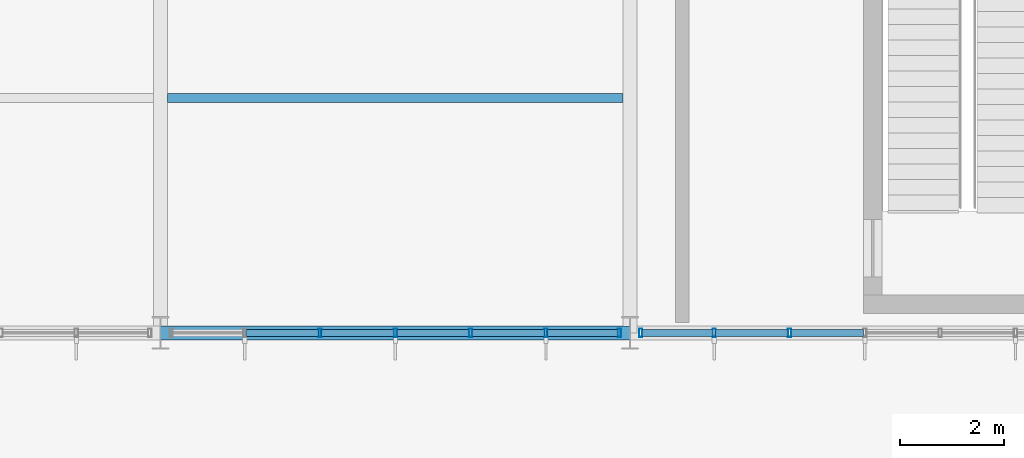
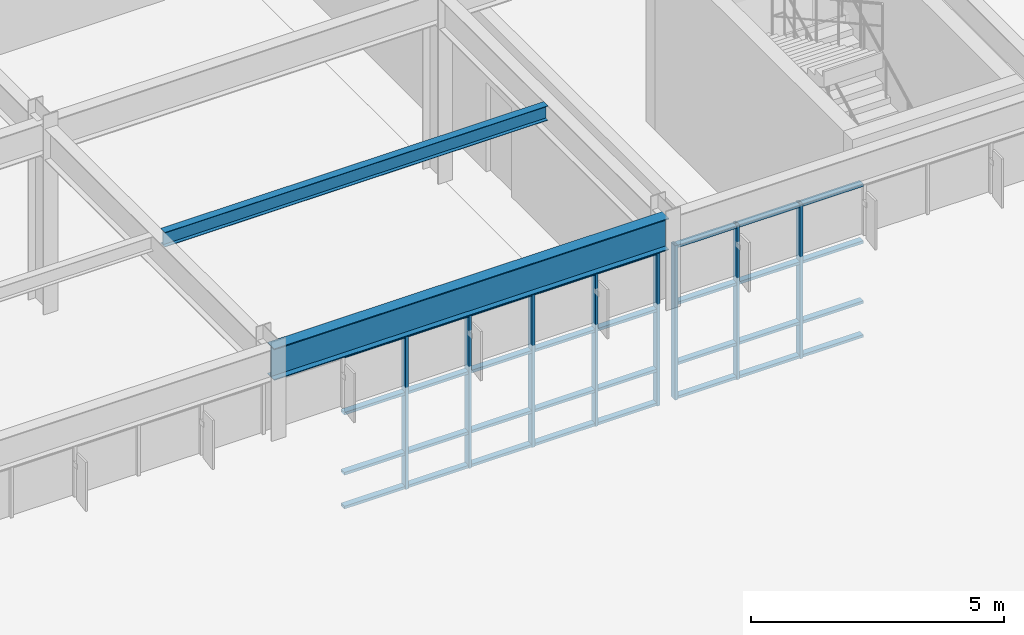
# One storey, part 63 of 104: 40 members, 2 beams, 2 elements without a shape of their own.
"""IFC4 building model written with IfcOpenShell, lengths in metres."""

from ifc_helpers import new_model, si_unit, direction, frame, origin, origin_2d, place, context, subcontext, project, spatial, hollow_rectangle, i_section, extrude, material, layer, layer_set, material_profile, profile_set, type_object, element, aggregate, save


model = new_model("IFC4")

# Units and contexts
model_context = context("Model", 3, precision=1e-05, world=origin(), true_north=direction((0.0, 1.0)))
body_context = subcontext(model_context, "Body", "Model", "MODEL_VIEW")
ifc_project = project(units=[si_unit("LENGTHUNIT", "METRE"), si_unit("AREAUNIT", "SQUARE_METRE"), si_unit("VOLUMEUNIT", "CUBIC_METRE"), si_unit("PLANEANGLEUNIT", "RADIAN"), si_unit("MASSUNIT", "GRAM", prefix="KILO")], contexts=[model_context])

# Site, building, storey
site_placement = place(None, origin())
site = spatial("IfcSite", under=ifc_project, at=site_placement, CompositionType="ELEMENT")
building_placement = place(site_placement, origin())
building = spatial("IfcBuilding", under=site, at=building_placement, Name="Ventoquebrada Cableway Terminal", CompositionType="ELEMENT")
storey_placement = place(building_placement, frame((0.0, 0.0, 4.800048828125)))
storey = spatial("IfcBuildingStorey", under=building, at=storey_placement, Name="L01", CompositionType="ELEMENT", Elevation=4.800048828125)

# Beam
ifc_material_1 = material(Name="Steel ASTM A992 Grade 50", Category="steel")
ifc_material_profile_1 = material_profile(ifc_material_1, i_section(OverallWidth=0.26708984375, OverallDepth=0.761962890625, WebThickness=0.014404296875, FlangeThickness=0.021484375, at=origin_2d()), Name="W30X116")
ifc_profile_set_1 = profile_set([ifc_material_profile_1], Name="Steel ASTM A992 Grade 50")
beam_type_1 = type_object("IfcBeamType", Name="BM-ST05", PredefinedType="BEAM", material=ifc_profile_set_1)
beam_1_placement = place(storey_placement, frame((138.0, 77.0, 4.093994140625), z_axis=(1.0, 0.0, 0.0), x_axis=(0.0, 1.0, 0.0)))
element("IfcBeam", 1, at=beam_1_placement, inside=storey, type_object=beam_type_1, Name="Primary frame girder FBM-0828", PredefinedType="BEAM", context=body_context, shape_type="SweptSolid", body=[
    extrude(i_section(OverallWidth=0.26708984375, OverallDepth=0.761962890625, WebThickness=0.014404296875, FlangeThickness=0.021484375, at=origin_2d()), origin(), (0.0, 0.0, 1.0), 9.0),
])

# Curtain wall, members
ifc_material_2 = material(Name="Anodized thermally-broken aluminium", Category="aluminium")
ifc_layer = layer(ifc_material_2, 0.159912109375)
ifc_layer_set = layer_set([ifc_layer], Name="Anodized thermally-broken aluminium")
curtain_wall_type = type_object("IfcCurtainWallType", Name="CW-T30", PredefinedType="USERDEFINED", material=ifc_layer_set)
curtain_wall_1_placement = place(storey_placement, origin())
curtain_wall_1 = element("IfcCurtainWall", 2, at=curtain_wall_1_placement, inside=storey, type_object=curtain_wall_type, Name="Unitised glazed curtain wall CW-074", ObjectType="UNITISED CURTAIN WALL", PredefinedType="USERDEFINED")
ifc_material_profile_2 = material_profile(ifc_material_2, hollow_rectangle(XDim=0.06494140625, YDim=0.159912109375, WallThickness=0.00390625, at=origin_2d()), Name="CW-MUL-65X160")
ifc_profile_set_2 = profile_set([ifc_material_profile_2], Name="Anodized thermally-broken aluminium")
member_type_1 = type_object("IfcMemberType", Name="CWM-01", PredefinedType="MULLION", material=ifc_profile_set_2)
member_1_placement = place(storey_placement, frame((141.055908203125, 77.0, -0.008056640625), z_axis=(0.0, 0.0, 1.0), x_axis=(1.0, 0.0, 0.0)))
member_1 = element("IfcMember", 3, at=member_1_placement, type_object=member_type_1, Name="Curtain wall mullion FML-0349", PredefinedType="MULLION", context=body_context, shape_type="SweptSolid", body=[
    extrude(hollow_rectangle(XDim=0.06494140625, YDim=0.159912109375, WallThickness=0.00390625, at=origin_2d()), origin(), (0.0, 0.0, 1.0), 3.720947265625),
])
member_2_placement = place(storey_placement, frame((142.5, 77.0, -0.008056640625), z_axis=(0.0, 0.0, 1.0), x_axis=(1.0, 0.0, 0.0)))
member_2 = element("IfcMember", 4, at=member_2_placement, type_object=member_type_1, Name="Curtain wall mullion FML-0350", PredefinedType="MULLION", context=body_context, shape_type="SweptSolid", body=[
    extrude(hollow_rectangle(XDim=0.06494140625, YDim=0.159912109375, WallThickness=0.00390625, at=origin_2d()), origin(), (0.0, 0.0, 1.0), 3.720947265625),
])
member_3_placement = place(storey_placement, frame((143.944091796875, 77.0, -0.008056640625), z_axis=(0.0, 0.0, 1.0), x_axis=(1.0, 0.0, 0.0)))
member_3 = element("IfcMember", 5, at=member_3_placement, type_object=member_type_1, Name="Curtain wall mullion FML-0351", PredefinedType="MULLION", context=body_context, shape_type="SweptSolid", body=[
    extrude(hollow_rectangle(XDim=0.06494140625, YDim=0.159912109375, WallThickness=0.00390625, at=origin_2d()), origin(), (0.0, 0.0, 1.0), 3.720947265625),
])
member_4_placement = place(storey_placement, frame((145.386962890625, 77.0, -0.008056640625), z_axis=(0.0, 0.0, 1.0), x_axis=(1.0, 0.0, 0.0)))
member_4 = element("IfcMember", 6, at=member_4_placement, type_object=member_type_1, Name="Curtain wall mullion FML-0352", PredefinedType="MULLION", context=body_context, shape_type="SweptSolid", body=[
    extrude(hollow_rectangle(XDim=0.06494140625, YDim=0.159912109375, WallThickness=0.00390625, at=origin_2d()), origin(), (0.0, 0.0, 1.0), 3.720947265625),
])
member_5_placement = place(storey_placement, frame((146.7958984375, 77.0, -0.008056640625), z_axis=(0.0, 0.0, 1.0), x_axis=(1.0, 0.0, 0.0)))
member_5 = element("IfcMember", 7, at=member_5_placement, type_object=member_type_1, Name="Curtain wall mullion FML-0353", PredefinedType="MULLION", context=body_context, shape_type="SweptSolid", body=[
    extrude(hollow_rectangle(XDim=0.06494140625, YDim=0.159912109375, WallThickness=0.00390625, at=origin_2d()), origin(), (0.0, 0.0, 1.0), 3.720947265625),
])

curtain_wall_2_placement = place(storey_placement, origin())
curtain_wall_2 = element("IfcCurtainWall", 8, at=curtain_wall_2_placement, inside=storey, type_object=curtain_wall_type, Name="Unitised glazed curtain wall CW-075", ObjectType="UNITISED CURTAIN WALL", PredefinedType="USERDEFINED")
member_6_placement = place(storey_placement, frame((147.2041015625, 77.0, -0.008056640625), z_axis=(0.0, 0.0, 1.0), x_axis=(1.0, 0.0, 0.0)))
member_6 = element("IfcMember", 9, at=member_6_placement, type_object=member_type_1, Name="Curtain wall mullion FML-0354", PredefinedType="MULLION", context=body_context, shape_type="SweptSolid", body=[
    extrude(hollow_rectangle(XDim=0.06494140625, YDim=0.159912109375, WallThickness=0.00390625, at=origin_2d()), origin(), (0.0, 0.0, 1.0), 3.720947265625),
])
member_7_placement = place(storey_placement, frame((148.613037109375, 77.0, -0.008056640625), z_axis=(0.0, 0.0, 1.0), x_axis=(1.0, 0.0, 0.0)))
member_7 = element("IfcMember", 10, at=member_7_placement, type_object=member_type_1, Name="Curtain wall mullion FML-0355", PredefinedType="MULLION", context=body_context, shape_type="SweptSolid", body=[
    extrude(hollow_rectangle(XDim=0.06494140625, YDim=0.159912109375, WallThickness=0.00390625, at=origin_2d()), origin(), (0.0, 0.0, 1.0), 3.720947265625),
])
member_8_placement = place(storey_placement, frame((150.055908203125, 77.0, -0.008056640625), z_axis=(0.0, 0.0, 1.0), x_axis=(1.0, 0.0, 0.0)))
member_8 = element("IfcMember", 11, at=member_8_placement, type_object=member_type_1, Name="Curtain wall mullion FML-0356", PredefinedType="MULLION", context=body_context, shape_type="SweptSolid", body=[
    extrude(hollow_rectangle(XDim=0.06494140625, YDim=0.159912109375, WallThickness=0.00390625, at=origin_2d()), origin(), (0.0, 0.0, 1.0), 3.720947265625),
])

# Member
ifc_material_profile_3 = material_profile(ifc_material_2, hollow_rectangle(XDim=0.06494140625, YDim=0.139892578125, WallThickness=0.00390625, at=origin_2d()), Name="CW-TRN-65X140")
ifc_profile_set_3 = profile_set([ifc_material_profile_3], Name="Anodized thermally-broken aluminium")
member_type_2 = type_object("IfcMemberType", Name="CWT-01", PredefinedType="USERDEFINED", material=ifc_profile_set_3)
member_9_placement = place(storey_placement, frame((139.639892578125, 77.0, 0.034912109375), z_axis=(1.0, 0.0, 0.0), x_axis=(0.0, 0.0, 1.0)))
member_9 = element("IfcMember", 12, at=member_9_placement, type_object=member_type_2, Name="Curtain wall transom FTR-1004", ObjectType="TRANSOM", PredefinedType="USERDEFINED", context=body_context, shape_type="SweptSolid", body=[
    extrude(hollow_rectangle(XDim=0.06494140625, YDim=0.139892578125, WallThickness=0.00390625, at=origin_2d()), origin(), (0.0, 0.0, 1.0), 1.38916015625),
])

member_10_placement = place(storey_placement, frame((139.639892578125, 77.0, 0.849853515625), z_axis=(1.0, 0.0, 0.0), x_axis=(0.0, 0.0, 1.0)))
member_10 = element("IfcMember", 13, at=member_10_placement, type_object=member_type_2, Name="Curtain wall transom FTR-1005", ObjectType="TRANSOM", PredefinedType="USERDEFINED", context=body_context, shape_type="SweptSolid", body=[
    extrude(hollow_rectangle(XDim=0.06494140625, YDim=0.139892578125, WallThickness=0.00390625, at=origin_2d()), origin(), (0.0, 0.0, 1.0), 1.38916015625),
])

member_11_placement = place(storey_placement, frame((139.639892578125, 77.0, 2.299072265625), z_axis=(1.0, 0.0, 0.0), x_axis=(0.0, 0.0, 1.0)))
member_11 = element("IfcMember", 14, at=member_11_placement, type_object=member_type_2, Name="Curtain wall transom FTR-1006", ObjectType="TRANSOM", PredefinedType="USERDEFINED", context=body_context, shape_type="SweptSolid", body=[
    extrude(hollow_rectangle(XDim=0.06494140625, YDim=0.139892578125, WallThickness=0.00390625, at=origin_2d()), origin(), (0.0, 0.0, 1.0), 1.38916015625),
])

member_12_placement = place(storey_placement, frame((139.639892578125, 77.0, 3.6728515625), z_axis=(1.0, 0.0, 0.0), x_axis=(0.0, 0.0, 1.0)))
member_12 = element("IfcMember", 15, at=member_12_placement, type_object=member_type_2, Name="Curtain wall transom FTR-1007", ObjectType="TRANSOM", PredefinedType="USERDEFINED", context=body_context, shape_type="SweptSolid", body=[
    extrude(hollow_rectangle(XDim=0.06494140625, YDim=0.139892578125, WallThickness=0.00390625, at=origin_2d()), origin(), (0.0, 0.0, 1.0), 1.38916015625),
])

member_13_placement = place(storey_placement, frame((141.083984375, 77.0, 0.034912109375), z_axis=(1.0, 0.0, 0.0), x_axis=(0.0, 0.0, 1.0)))
member_13 = element("IfcMember", 16, at=member_13_placement, type_object=member_type_2, Name="Curtain wall transom FTR-1008", ObjectType="TRANSOM", PredefinedType="USERDEFINED", context=body_context, shape_type="SweptSolid", body=[
    extrude(hollow_rectangle(XDim=0.06494140625, YDim=0.139892578125, WallThickness=0.00390625, at=origin_2d()), origin(), (0.0, 0.0, 1.0), 1.387939453125),
])

member_14_placement = place(storey_placement, frame((141.083984375, 77.0, 0.849853515625), z_axis=(1.0, 0.0, 0.0), x_axis=(0.0, 0.0, 1.0)))
member_14 = element("IfcMember", 17, at=member_14_placement, type_object=member_type_2, Name="Curtain wall transom FTR-1009", ObjectType="TRANSOM", PredefinedType="USERDEFINED", context=body_context, shape_type="SweptSolid", body=[
    extrude(hollow_rectangle(XDim=0.06494140625, YDim=0.139892578125, WallThickness=0.00390625, at=origin_2d()), origin(), (0.0, 0.0, 1.0), 1.387939453125),
])

member_15_placement = place(storey_placement, frame((141.083984375, 77.0, 2.299072265625), z_axis=(1.0, 0.0, 0.0), x_axis=(0.0, 0.0, 1.0)))
member_15 = element("IfcMember", 18, at=member_15_placement, type_object=member_type_2, Name="Curtain wall transom FTR-1010", ObjectType="TRANSOM", PredefinedType="USERDEFINED", context=body_context, shape_type="SweptSolid", body=[
    extrude(hollow_rectangle(XDim=0.06494140625, YDim=0.139892578125, WallThickness=0.00390625, at=origin_2d()), origin(), (0.0, 0.0, 1.0), 1.387939453125),
])

member_16_placement = place(storey_placement, frame((141.083984375, 77.0, 3.6728515625), z_axis=(1.0, 0.0, 0.0), x_axis=(0.0, 0.0, 1.0)))
member_16 = element("IfcMember", 19, at=member_16_placement, type_object=member_type_2, Name="Curtain wall transom FTR-1011", ObjectType="TRANSOM", PredefinedType="USERDEFINED", context=body_context, shape_type="SweptSolid", body=[
    extrude(hollow_rectangle(XDim=0.06494140625, YDim=0.139892578125, WallThickness=0.00390625, at=origin_2d()), origin(), (0.0, 0.0, 1.0), 1.387939453125),
])

member_17_placement = place(storey_placement, frame((142.528076171875, 77.0, 0.034912109375), z_axis=(1.0, 0.0, 0.0), x_axis=(0.0, 0.0, 1.0)))
member_17 = element("IfcMember", 20, at=member_17_placement, type_object=member_type_2, Name="Curtain wall transom FTR-1012", ObjectType="TRANSOM", PredefinedType="USERDEFINED", context=body_context, shape_type="SweptSolid", body=[
    extrude(hollow_rectangle(XDim=0.06494140625, YDim=0.139892578125, WallThickness=0.00390625, at=origin_2d()), origin(), (0.0, 0.0, 1.0), 1.387939453125),
])

member_18_placement = place(storey_placement, frame((142.528076171875, 77.0, 0.849853515625), z_axis=(1.0, 0.0, 0.0), x_axis=(0.0, 0.0, 1.0)))
member_18 = element("IfcMember", 21, at=member_18_placement, type_object=member_type_2, Name="Curtain wall transom FTR-1013", ObjectType="TRANSOM", PredefinedType="USERDEFINED", context=body_context, shape_type="SweptSolid", body=[
    extrude(hollow_rectangle(XDim=0.06494140625, YDim=0.139892578125, WallThickness=0.00390625, at=origin_2d()), origin(), (0.0, 0.0, 1.0), 1.387939453125),
])

member_19_placement = place(storey_placement, frame((142.528076171875, 77.0, 2.299072265625), z_axis=(1.0, 0.0, 0.0), x_axis=(0.0, 0.0, 1.0)))
member_19 = element("IfcMember", 22, at=member_19_placement, type_object=member_type_2, Name="Curtain wall transom FTR-1014", ObjectType="TRANSOM", PredefinedType="USERDEFINED", context=body_context, shape_type="SweptSolid", body=[
    extrude(hollow_rectangle(XDim=0.06494140625, YDim=0.139892578125, WallThickness=0.00390625, at=origin_2d()), origin(), (0.0, 0.0, 1.0), 1.387939453125),
])

member_20_placement = place(storey_placement, frame((142.528076171875, 77.0, 3.6728515625), z_axis=(1.0, 0.0, 0.0), x_axis=(0.0, 0.0, 1.0)))
member_20 = element("IfcMember", 23, at=member_20_placement, type_object=member_type_2, Name="Curtain wall transom FTR-1015", ObjectType="TRANSOM", PredefinedType="USERDEFINED", context=body_context, shape_type="SweptSolid", body=[
    extrude(hollow_rectangle(XDim=0.06494140625, YDim=0.139892578125, WallThickness=0.00390625, at=origin_2d()), origin(), (0.0, 0.0, 1.0), 1.387939453125),
])

member_21_placement = place(storey_placement, frame((143.970947265625, 77.0, 0.034912109375), z_axis=(1.0, 0.0, 0.0), x_axis=(0.0, 0.0, 1.0)))
member_21 = element("IfcMember", 24, at=member_21_placement, type_object=member_type_2, Name="Curtain wall transom FTR-1016", ObjectType="TRANSOM", PredefinedType="USERDEFINED", context=body_context, shape_type="SweptSolid", body=[
    extrude(hollow_rectangle(XDim=0.06494140625, YDim=0.139892578125, WallThickness=0.00390625, at=origin_2d()), origin(), (0.0, 0.0, 1.0), 1.38916015625),
])

member_22_placement = place(storey_placement, frame((143.970947265625, 77.0, 0.849853515625), z_axis=(1.0, 0.0, 0.0), x_axis=(0.0, 0.0, 1.0)))
member_22 = element("IfcMember", 25, at=member_22_placement, type_object=member_type_2, Name="Curtain wall transom FTR-1017", ObjectType="TRANSOM", PredefinedType="USERDEFINED", context=body_context, shape_type="SweptSolid", body=[
    extrude(hollow_rectangle(XDim=0.06494140625, YDim=0.139892578125, WallThickness=0.00390625, at=origin_2d()), origin(), (0.0, 0.0, 1.0), 1.38916015625),
])

member_23_placement = place(storey_placement, frame((143.970947265625, 77.0, 2.299072265625), z_axis=(1.0, 0.0, 0.0), x_axis=(0.0, 0.0, 1.0)))
member_23 = element("IfcMember", 26, at=member_23_placement, type_object=member_type_2, Name="Curtain wall transom FTR-1018", ObjectType="TRANSOM", PredefinedType="USERDEFINED", context=body_context, shape_type="SweptSolid", body=[
    extrude(hollow_rectangle(XDim=0.06494140625, YDim=0.139892578125, WallThickness=0.00390625, at=origin_2d()), origin(), (0.0, 0.0, 1.0), 1.38916015625),
])

member_24_placement = place(storey_placement, frame((143.970947265625, 77.0, 3.6728515625), z_axis=(1.0, 0.0, 0.0), x_axis=(0.0, 0.0, 1.0)))
member_24 = element("IfcMember", 27, at=member_24_placement, type_object=member_type_2, Name="Curtain wall transom FTR-1019", ObjectType="TRANSOM", PredefinedType="USERDEFINED", context=body_context, shape_type="SweptSolid", body=[
    extrude(hollow_rectangle(XDim=0.06494140625, YDim=0.139892578125, WallThickness=0.00390625, at=origin_2d()), origin(), (0.0, 0.0, 1.0), 1.38916015625),
])

member_25_placement = place(storey_placement, frame((145.4150390625, 77.0, 0.034912109375), z_axis=(1.0, 0.0, 0.0), x_axis=(0.0, 0.0, 1.0)))
member_25 = element("IfcMember", 28, at=member_25_placement, type_object=member_type_2, Name="Curtain wall transom FTR-1020", ObjectType="TRANSOM", PredefinedType="USERDEFINED", context=body_context, shape_type="SweptSolid", body=[
    extrude(hollow_rectangle(XDim=0.06494140625, YDim=0.139892578125, WallThickness=0.00390625, at=origin_2d()), origin(), (0.0, 0.0, 1.0), 1.35302734375),
])

member_26_placement = place(storey_placement, frame((145.4150390625, 77.0, 0.849853515625), z_axis=(1.0, 0.0, 0.0), x_axis=(0.0, 0.0, 1.0)))
member_26 = element("IfcMember", 29, at=member_26_placement, type_object=member_type_2, Name="Curtain wall transom FTR-1021", ObjectType="TRANSOM", PredefinedType="USERDEFINED", context=body_context, shape_type="SweptSolid", body=[
    extrude(hollow_rectangle(XDim=0.06494140625, YDim=0.139892578125, WallThickness=0.00390625, at=origin_2d()), origin(), (0.0, 0.0, 1.0), 1.35302734375),
])

member_27_placement = place(storey_placement, frame((145.4150390625, 77.0, 2.299072265625), z_axis=(1.0, 0.0, 0.0), x_axis=(0.0, 0.0, 1.0)))
member_27 = element("IfcMember", 30, at=member_27_placement, type_object=member_type_2, Name="Curtain wall transom FTR-1022", ObjectType="TRANSOM", PredefinedType="USERDEFINED", context=body_context, shape_type="SweptSolid", body=[
    extrude(hollow_rectangle(XDim=0.06494140625, YDim=0.139892578125, WallThickness=0.00390625, at=origin_2d()), origin(), (0.0, 0.0, 1.0), 1.35302734375),
])

member_28_placement = place(storey_placement, frame((145.4150390625, 77.0, 3.6728515625), z_axis=(1.0, 0.0, 0.0), x_axis=(0.0, 0.0, 1.0)))
member_28 = element("IfcMember", 31, at=member_28_placement, type_object=member_type_2, Name="Curtain wall transom FTR-1023", ObjectType="TRANSOM", PredefinedType="USERDEFINED", context=body_context, shape_type="SweptSolid", body=[
    extrude(hollow_rectangle(XDim=0.06494140625, YDim=0.139892578125, WallThickness=0.00390625, at=origin_2d()), origin(), (0.0, 0.0, 1.0), 1.35302734375),
])

aggregate(curtain_wall_1, [member_1, member_2, member_3, member_4, member_5, member_9, member_10, member_11, member_12, member_13, member_14, member_15, member_16, member_17, member_18, member_19, member_20, member_21, member_22, member_23, member_24, member_25, member_26, member_27, member_28])

member_29_placement = place(storey_placement, frame((147.23193359375, 77.0, 0.034912109375), z_axis=(1.0, 0.0, 0.0), x_axis=(0.0, 0.0, 1.0)))
member_29 = element("IfcMember", 32, at=member_29_placement, type_object=member_type_2, Name="Curtain wall transom FTR-1024", ObjectType="TRANSOM", PredefinedType="USERDEFINED", context=body_context, shape_type="SweptSolid", body=[
    extrude(hollow_rectangle(XDim=0.06494140625, YDim=0.139892578125, WallThickness=0.00390625, at=origin_2d()), origin(), (0.0, 0.0, 1.0), 1.35302734375),
])

member_30_placement = place(storey_placement, frame((147.23193359375, 77.0, 0.849853515625), z_axis=(1.0, 0.0, 0.0), x_axis=(0.0, 0.0, 1.0)))
member_30 = element("IfcMember", 33, at=member_30_placement, type_object=member_type_2, Name="Curtain wall transom FTR-1025", ObjectType="TRANSOM", PredefinedType="USERDEFINED", context=body_context, shape_type="SweptSolid", body=[
    extrude(hollow_rectangle(XDim=0.06494140625, YDim=0.139892578125, WallThickness=0.00390625, at=origin_2d()), origin(), (0.0, 0.0, 1.0), 1.35302734375),
])

member_31_placement = place(storey_placement, frame((147.23193359375, 77.0, 2.299072265625), z_axis=(1.0, 0.0, 0.0), x_axis=(0.0, 0.0, 1.0)))
member_31 = element("IfcMember", 34, at=member_31_placement, type_object=member_type_2, Name="Curtain wall transom FTR-1026", ObjectType="TRANSOM", PredefinedType="USERDEFINED", context=body_context, shape_type="SweptSolid", body=[
    extrude(hollow_rectangle(XDim=0.06494140625, YDim=0.139892578125, WallThickness=0.00390625, at=origin_2d()), origin(), (0.0, 0.0, 1.0), 1.35302734375),
])

member_32_placement = place(storey_placement, frame((147.23193359375, 77.0, 3.6728515625), z_axis=(1.0, 0.0, 0.0), x_axis=(0.0, 0.0, 1.0)))
member_32 = element("IfcMember", 35, at=member_32_placement, type_object=member_type_2, Name="Curtain wall transom FTR-1027", ObjectType="TRANSOM", PredefinedType="USERDEFINED", context=body_context, shape_type="SweptSolid", body=[
    extrude(hollow_rectangle(XDim=0.06494140625, YDim=0.139892578125, WallThickness=0.00390625, at=origin_2d()), origin(), (0.0, 0.0, 1.0), 1.35302734375),
])

member_33_placement = place(storey_placement, frame((148.639892578125, 77.0, 0.034912109375), z_axis=(1.0, 0.0, 0.0), x_axis=(0.0, 0.0, 1.0)))
member_33 = element("IfcMember", 36, at=member_33_placement, type_object=member_type_2, Name="Curtain wall transom FTR-1028", ObjectType="TRANSOM", PredefinedType="USERDEFINED", context=body_context, shape_type="SweptSolid", body=[
    extrude(hollow_rectangle(XDim=0.06494140625, YDim=0.139892578125, WallThickness=0.00390625, at=origin_2d()), origin(), (0.0, 0.0, 1.0), 1.38916015625),
])

member_34_placement = place(storey_placement, frame((148.639892578125, 77.0, 0.849853515625), z_axis=(1.0, 0.0, 0.0), x_axis=(0.0, 0.0, 1.0)))
member_34 = element("IfcMember", 37, at=member_34_placement, type_object=member_type_2, Name="Curtain wall transom FTR-1029", ObjectType="TRANSOM", PredefinedType="USERDEFINED", context=body_context, shape_type="SweptSolid", body=[
    extrude(hollow_rectangle(XDim=0.06494140625, YDim=0.139892578125, WallThickness=0.00390625, at=origin_2d()), origin(), (0.0, 0.0, 1.0), 1.38916015625),
])

member_35_placement = place(storey_placement, frame((148.639892578125, 77.0, 2.299072265625), z_axis=(1.0, 0.0, 0.0), x_axis=(0.0, 0.0, 1.0)))
member_35 = element("IfcMember", 38, at=member_35_placement, type_object=member_type_2, Name="Curtain wall transom FTR-1030", ObjectType="TRANSOM", PredefinedType="USERDEFINED", context=body_context, shape_type="SweptSolid", body=[
    extrude(hollow_rectangle(XDim=0.06494140625, YDim=0.139892578125, WallThickness=0.00390625, at=origin_2d()), origin(), (0.0, 0.0, 1.0), 1.38916015625),
])

member_36_placement = place(storey_placement, frame((148.639892578125, 77.0, 3.6728515625), z_axis=(1.0, 0.0, 0.0), x_axis=(0.0, 0.0, 1.0)))
member_36 = element("IfcMember", 39, at=member_36_placement, type_object=member_type_2, Name="Curtain wall transom FTR-1031", ObjectType="TRANSOM", PredefinedType="USERDEFINED", context=body_context, shape_type="SweptSolid", body=[
    extrude(hollow_rectangle(XDim=0.06494140625, YDim=0.139892578125, WallThickness=0.00390625, at=origin_2d()), origin(), (0.0, 0.0, 1.0), 1.38916015625),
])

member_37_placement = place(storey_placement, frame((150.083984375, 77.0, 0.034912109375), z_axis=(1.0, 0.0, 0.0), x_axis=(0.0, 0.0, 1.0)))
member_37 = element("IfcMember", 40, at=member_37_placement, type_object=member_type_2, Name="Curtain wall transom FTR-1032", ObjectType="TRANSOM", PredefinedType="USERDEFINED", context=body_context, shape_type="SweptSolid", body=[
    extrude(hollow_rectangle(XDim=0.06494140625, YDim=0.139892578125, WallThickness=0.00390625, at=origin_2d()), origin(), (0.0, 0.0, 1.0), 1.387939453125),
])

member_38_placement = place(storey_placement, frame((150.083984375, 77.0, 0.849853515625), z_axis=(1.0, 0.0, 0.0), x_axis=(0.0, 0.0, 1.0)))
member_38 = element("IfcMember", 41, at=member_38_placement, type_object=member_type_2, Name="Curtain wall transom FTR-1033", ObjectType="TRANSOM", PredefinedType="USERDEFINED", context=body_context, shape_type="SweptSolid", body=[
    extrude(hollow_rectangle(XDim=0.06494140625, YDim=0.139892578125, WallThickness=0.00390625, at=origin_2d()), origin(), (0.0, 0.0, 1.0), 1.387939453125),
])

member_39_placement = place(storey_placement, frame((150.083984375, 77.0, 2.299072265625), z_axis=(1.0, 0.0, 0.0), x_axis=(0.0, 0.0, 1.0)))
member_39 = element("IfcMember", 42, at=member_39_placement, type_object=member_type_2, Name="Curtain wall transom FTR-1034", ObjectType="TRANSOM", PredefinedType="USERDEFINED", context=body_context, shape_type="SweptSolid", body=[
    extrude(hollow_rectangle(XDim=0.06494140625, YDim=0.139892578125, WallThickness=0.00390625, at=origin_2d()), origin(), (0.0, 0.0, 1.0), 1.387939453125),
])

member_40_placement = place(storey_placement, frame((150.083984375, 77.0, 3.6728515625), z_axis=(1.0, 0.0, 0.0), x_axis=(0.0, 0.0, 1.0)))
member_40 = element("IfcMember", 43, at=member_40_placement, type_object=member_type_2, Name="Curtain wall transom FTR-1035", ObjectType="TRANSOM", PredefinedType="USERDEFINED", context=body_context, shape_type="SweptSolid", body=[
    extrude(hollow_rectangle(XDim=0.06494140625, YDim=0.139892578125, WallThickness=0.00390625, at=origin_2d()), origin(), (0.0, 0.0, 1.0), 1.387939453125),
])

aggregate(curtain_wall_2, [member_6, member_7, member_8, member_29, member_30, member_31, member_32, member_33, member_34, member_35, member_36, member_37, member_38, member_39, member_40])

# Beam
ifc_material_profile_4 = material_profile(ifc_material_1, i_section(OverallWidth=0.1708984375, OverallDepth=0.35107421875, WebThickness=0.0068359375, FlangeThickness=0.009765625, at=origin_2d()), Name="W14X30")
ifc_profile_set_4 = profile_set([ifc_material_profile_4], Name="Steel ASTM A992 Grade 50")
beam_type_2 = type_object("IfcBeamType", Name="JST-ST04", PredefinedType="JOIST", material=ifc_profile_set_4)
beam_2_placement = place(storey_placement, frame((138.133056640625, 81.5, 4.300048828125), z_axis=(1.0, 0.0, 0.0), x_axis=(0.0, 1.0, 0.0)))
element("IfcBeam", 44, at=beam_2_placement, inside=storey, type_object=beam_type_2, Name="Secondary floor joist JB-028", PredefinedType="JOIST", context=body_context, shape_type="SweptSolid", body=[
    extrude(i_section(OverallWidth=0.1708984375, OverallDepth=0.35107421875, WebThickness=0.0068359375, FlangeThickness=0.009765625, at=origin_2d()), origin(), (0.0, 0.0, 1.0), 8.73388671875),
])

save(model, "model.ifc")
